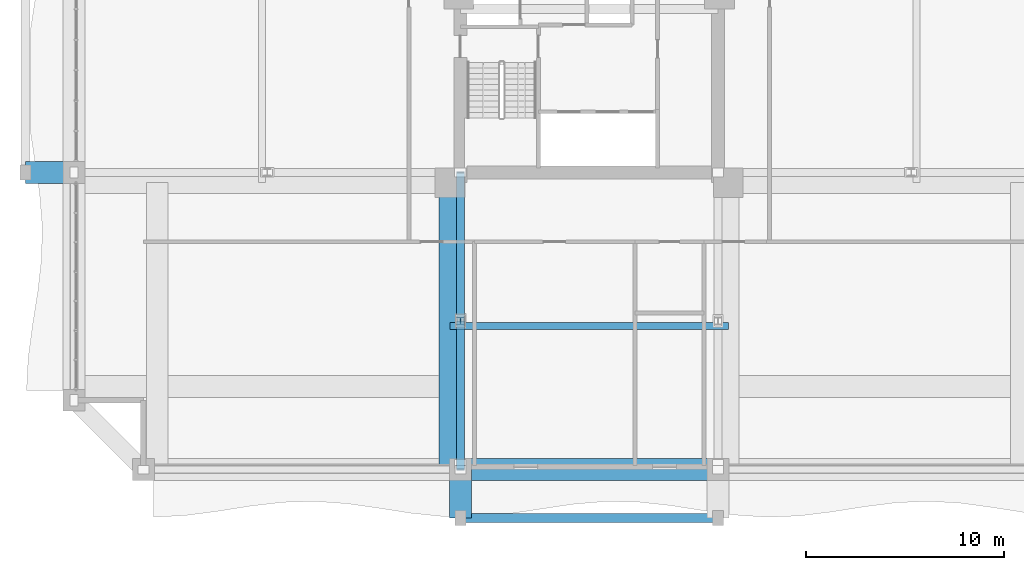
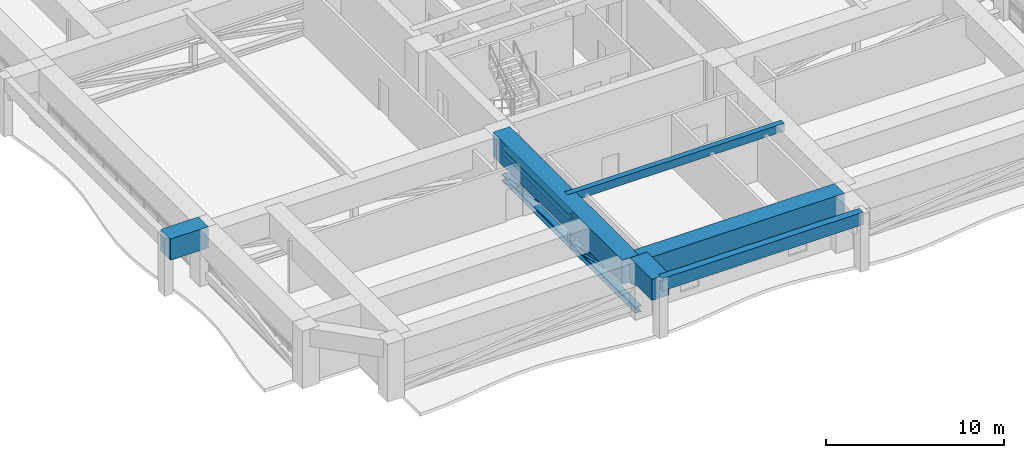
# One storey, part 5 of 35: 7 members, 6 beams.
"""IFC4 building model written with IfcOpenShell, lengths in metres."""

from ifc_helpers import new_model, si_unit, direction, frame, origin, origin_2d, place, context, subcontext, project, spatial, rectangle, i_section, extrude, source, transform, mapped, material, material_profile, profile_set, type_object, element, save


model = new_model("IFC4")

# Units and contexts
model_context = context("Model", 3, precision=1e-05, world=origin(), true_north=direction((0.0, 1.0)))
body_context = subcontext(model_context, "Body", "Model", "MODEL_VIEW")
ifc_project = project(units=[si_unit("LENGTHUNIT", "METRE"), si_unit("AREAUNIT", "SQUARE_METRE"), si_unit("VOLUMEUNIT", "CUBIC_METRE"), si_unit("PLANEANGLEUNIT", "RADIAN"), si_unit("MASSUNIT", "GRAM", prefix="KILO")], contexts=[model_context])

# Site, building, storey
site_placement = place(None, origin())
site = spatial("IfcSite", under=ifc_project, at=site_placement, CompositionType="ELEMENT")
building_placement = place(site_placement, origin())
building = spatial("IfcBuilding", under=site, at=building_placement, Name="Saelheon Loggia Tower", CompositionType="ELEMENT")
storey_placement = place(building_placement, frame((0.0, 0.0, 70.39990234375)))
storey = spatial("IfcBuildingStorey", under=building, at=storey_placement, Name="L22", CompositionType="ELEMENT", Elevation=70.39990234375)

# Beams
ifc_material_1 = material(Name="Precast Concrete C45/55", Category="concrete")
ifc_material_profile_1 = material_profile(ifc_material_1, rectangle(XDim=0.449951171875, YDim=0.85009765625, at=origin_2d()), Name="RC-450x850")
ifc_profile_set_1 = profile_set([ifc_material_profile_1], Name="Precast Concrete C45/55")
beam_type_1 = type_object("IfcBeamType", Name="Beam_LoggiaSpandrel_RC450x850", PredefinedType="SPANDREL", material=ifc_profile_set_1)
shared_shape_1 = source(origin(), body_context, "Body", "SweptSolid", [
    extrude(rectangle(XDim=0.449951171875, YDim=0.85009765625, at=origin_2d()), origin(), (0.0, 0.0, 1.0), 13.0),
])
beam_1_placement = place(storey_placement, frame((31.5, 0.550048828125, 3.525146484375), z_axis=(1.0, 0.0, 0.0), x_axis=(0.0, 1.0, 0.0)))
element("IfcBeam", 1, at=beam_1_placement, inside=storey, type_object=beam_type_1, Name="L22 Loggia Spandrel Beam S", PredefinedType="SPANDREL", context=body_context, shape_type="MappedRepresentation", body=[
    mapped(shared_shape_1, transform((0.0, 0.0, 0.0), scale=1.0)),
])
ifc_material_2 = material(Name="Concrete C50/60", Category="concrete")
ifc_material_profile_2 = material_profile(ifc_material_2, rectangle(XDim=1.10009765625, YDim=1.449951171875, at=origin_2d()), Name="RC-1100x1450")
ifc_profile_set_2 = profile_set([ifc_material_profile_2], Name="Concrete C50/60")
beam_type_2 = type_object("IfcBeamType", Name="Beam_PerimTransfer_RC1100x1450", PredefinedType="BEAM", material=ifc_profile_set_2)
shared_shape_2 = source(origin(), body_context, "Body", "SweptSolid", [
    extrude(rectangle(XDim=1.10009765625, YDim=1.449951171875, at=origin_2d()), origin(), (0.0, 0.0, 1.0), 2.449951171875),
])
for number, where, z_axis, x_axis, name in (
    (2, (31.5, 3.0, 3.22509765625), (0.0, -1.0, 0.0), (1.0, 0.0, 0.0), "L22 Loggia Frame Tie Beam LP-S1"),
    (3, (12.0, 18.0, 3.22509765625), (-1.0, 0.0, 0.0), (0.0, -1.0, 0.0), "L22 Loggia Frame Tie Beam LP-W1"),
):
    element("IfcBeam", number, at=place(storey_placement, frame(where, z_axis=z_axis, x_axis=x_axis)), inside=storey, type_object=beam_type_2, Name=name, PredefinedType="BEAM", context=body_context, shape_type="MappedRepresentation", body=[
        mapped(shared_shape_2, transform((0.0, 0.0, 0.0), scale=1.0)),
    ])
ifc_material_3 = material(Name="Concrete C40/50", Category="concrete")
ifc_material_profile_3 = material_profile(ifc_material_3, rectangle(XDim=0.35009765625, YDim=0.550048828125, at=origin_2d()), Name="RC-350x550")
ifc_profile_set_3 = profile_set([ifc_material_profile_3], Name="Concrete C40/50")
beam_type_3 = type_object("IfcBeamType", Name="Beam_Joist_RC350x550", PredefinedType="JOIST", material=ifc_profile_set_3)
shared_shape_3 = source(origin(), body_context, "Body", "SweptSolid", [
    extrude(rectangle(XDim=0.35009765625, YDim=0.550048828125, at=origin_2d()), origin(), (0.0, 0.0, 1.0), 14.0400390625),
])
beam_2_placement = place(storey_placement, frame((30.97998046875, 10.239990234375, 3.675048828125), z_axis=(1.0, 0.0, 0.0), x_axis=(0.0, 1.0, 0.0)))
element("IfcBeam", 4, at=beam_2_placement, inside=storey, type_object=beam_type_3, Name="L22 South Floor Joist", PredefinedType="JOIST", context=body_context, shape_type="MappedRepresentation", body=[
    mapped(shared_shape_3, transform((0.0, 0.0, 0.0), scale=1.0)),
])
ifc_material_profile_4 = material_profile(ifc_material_2, rectangle(XDim=1.10009765625, YDim=1.64990234375, at=origin_2d()), Name="RC-1100x1650")
ifc_profile_set_4 = profile_set([ifc_material_profile_4], Name="Concrete C50/60")
beam_type_4 = type_object("IfcBeamType", Name="Beam_PerimMega_RC1100x1650", PredefinedType="BEAM", material=ifc_profile_set_4)
shared_shape_4 = source(origin(), body_context, "Body", "SweptSolid", [
    extrude(rectangle(XDim=1.10009765625, YDim=1.64990234375, at=origin_2d()), origin(), (0.0, 0.0, 1.0), 13.0),
])
beam_3_placement = place(storey_placement, frame((31.5, 3.0, 3.125), z_axis=(1.0, 0.0, 0.0), x_axis=(0.0, 1.0, 0.0)))
element("IfcBeam", 5, at=beam_3_placement, inside=storey, type_object=beam_type_4, Name="L22 Perimeter Frame Girder 02", PredefinedType="BEAM", context=body_context, shape_type="MappedRepresentation", body=[
    mapped(shared_shape_4, transform((0.0, 0.0, 0.0), scale=1.0)),
])
ifc_material_profile_5 = material_profile(ifc_material_2, rectangle(XDim=1.10009765625, YDim=1.64990234375, at=origin_2d()), Name="RC-1100x1650")
ifc_profile_set_5 = profile_set([ifc_material_profile_5], Name="Concrete C50/60")
beam_type_5 = type_object("IfcBeamType", Name="Beam_MegaTransfer_RC1100x1650", PredefinedType="BEAM", material=ifc_profile_set_5)
shared_shape_5 = source(origin(), body_context, "Body", "SweptSolid", [
    extrude(rectangle(XDim=1.10009765625, YDim=1.64990234375, at=origin_2d()), origin(), (0.0, 0.0, 1.0), 14.47998046875),
])
beam_4_placement = place(storey_placement, frame((30.97998046875, 17.47998046875, 3.125), z_axis=(0.0, -1.0, 0.0), x_axis=(1.0, 0.0, 0.0)))
element("IfcBeam", 6, at=beam_4_placement, inside=storey, type_object=beam_type_5, Name="L22 Radial Floor Girder RAD-SW-S", PredefinedType="BEAM", context=body_context, shape_type="MappedRepresentation", body=[
    mapped(shared_shape_5, transform((0.0, 0.0, 0.0), scale=1.0)),
])

# Members
ifc_material_4 = material(Name="Steel SM355", Category="steel")
ifc_material_profile_6 = material_profile(ifc_material_4, i_section(OverallWidth=0.406982421875, OverallDepth=0.427978515625, WebThickness=0.02001953125, FlangeThickness=0.034912109375, at=origin_2d()), Name="H-428x407x20x35")
ifc_profile_set_6 = profile_set([ifc_material_profile_6], Name="Steel SM355")
member_type_1 = type_object("IfcMemberType", Name="Outrigger_Chord_H428", PredefinedType="CHORD", material=ifc_profile_set_6)
shared_shape_6 = source(origin(), body_context, "Body", "SweptSolid", [
    extrude(i_section(OverallWidth=0.406982421875, OverallDepth=0.427978515625, WebThickness=0.02001953125, FlangeThickness=0.034912109375, at=origin_2d()), origin(), (0.0, 0.0, 1.0), 7.5),
])
for number, where, z_axis, x_axis, name in (
    (7, (31.5, 18.0, 0.22021484375), (0.0, -1.0, 0.0), (1.0, 0.0, 0.0), "L22 Outrigger Bottom Chord SW-S 1"),
    (8, (31.5, 10.5, 0.22021484375), (0.0, -1.0, 0.0), (1.0, 0.0, 0.0), "L22 Outrigger Bottom Chord SW-S 2"),
    (9, (31.5, 18.0, 2.070068359375), (0.0, -1.0, 0.0), (1.0, 0.0, 0.0), "L22 Outrigger Top Chord SW-S 1"),
    (10, (31.5, 10.5, 2.070068359375), (0.0, -1.0, 0.0), (1.0, 0.0, 0.0), "L22 Outrigger Top Chord SW-S 2"),
):
    element("IfcMember", number, at=place(storey_placement, frame(where, z_axis=z_axis, x_axis=x_axis)), inside=storey, type_object=member_type_1, Name=name, PredefinedType="CHORD", context=body_context, shape_type="MappedRepresentation", body=[
        mapped(shared_shape_6, transform((0.0, 0.0, 0.0), scale=1.0)),
    ])
ifc_material_profile_7 = material_profile(ifc_material_4, i_section(OverallWidth=0.35009765625, OverallDepth=0.35009765625, WebThickness=0.011962890625, FlangeThickness=0.01904296875, at=origin_2d()), Name="H-350x350x12x19")
ifc_profile_set_7 = profile_set([ifc_material_profile_7], Name="Steel SM355")
member_type_2 = type_object("IfcMemberType", Name="Outrigger_Post_H350", PredefinedType="POST", material=ifc_profile_set_7)
shared_shape_7 = source(origin(), body_context, "Body", "SweptSolid", [
    extrude(i_section(OverallWidth=0.35009765625, OverallDepth=0.35009765625, WebThickness=0.011962890625, FlangeThickness=0.01904296875, at=origin_2d()), origin(), (0.0, 0.0, 1.0), 1.849853515625),
])
member_placement = place(storey_placement, frame((31.5, 10.5, 0.22021484375), z_axis=(0.0, 0.0, 1.0), x_axis=(1.0, 0.0, 0.0)))
element("IfcMember", 11, at=member_placement, inside=storey, type_object=member_type_2, Name="L22 Outrigger Web Post SW-S", PredefinedType="POST", context=body_context, shape_type="MappedRepresentation", body=[
    mapped(shared_shape_7, transform((0.0, 0.0, 0.0), scale=1.0)),
])
ifc_material_profile_8 = material_profile(ifc_material_4, i_section(OverallWidth=0.39990234375, OverallDepth=0.39990234375, WebThickness=0.012939453125, FlangeThickness=0.02099609375, at=origin_2d()), Name="H-400x400x13x21")
ifc_profile_set_8 = profile_set([ifc_material_profile_8], Name="Steel SM355")
member_type_3 = type_object("IfcMemberType", Name="Outrigger_Brace_H400", PredefinedType="BRACE", material=ifc_profile_set_8)
shared_shape_8 = source(origin(), body_context, "Body", "SweptSolid", [
    extrude(i_section(OverallWidth=0.39990234375, OverallDepth=0.39990234375, WebThickness=0.012939453125, FlangeThickness=0.02099609375, at=origin_2d()), origin(), (0.0, 0.0, 1.0), 7.724853515625),
])
for number, where, z_axis, x_axis, name in (
    (12, (31.5, 18.0, 0.22021484375), (0.0, -0.970903617095, 0.239470595922), (1.0, 0.0, 0.0), "L22 Outrigger Diagonal SW-S 1"),
    (13, (31.5, 10.5, 0.22021484375), (0.0, -0.970903617095, 0.239470595922), (1.0, 0.0, 0.0), "L22 Outrigger Diagonal SW-S 2"),
):
    element("IfcMember", number, at=place(storey_placement, frame(where, z_axis=z_axis, x_axis=x_axis)), inside=storey, type_object=member_type_3, Name=name, PredefinedType="BRACE", context=body_context, shape_type="MappedRepresentation", body=[
        mapped(shared_shape_8, transform((0.0, 0.0, 0.0), scale=1.0)),
    ])

save(model, "model.ifc")
